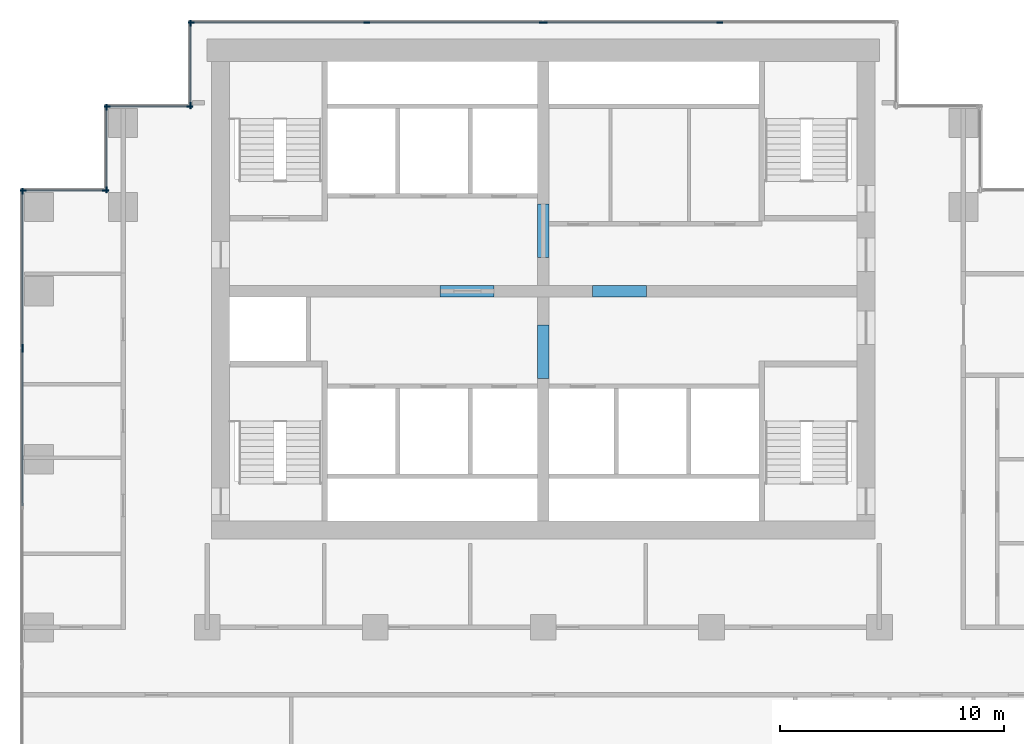
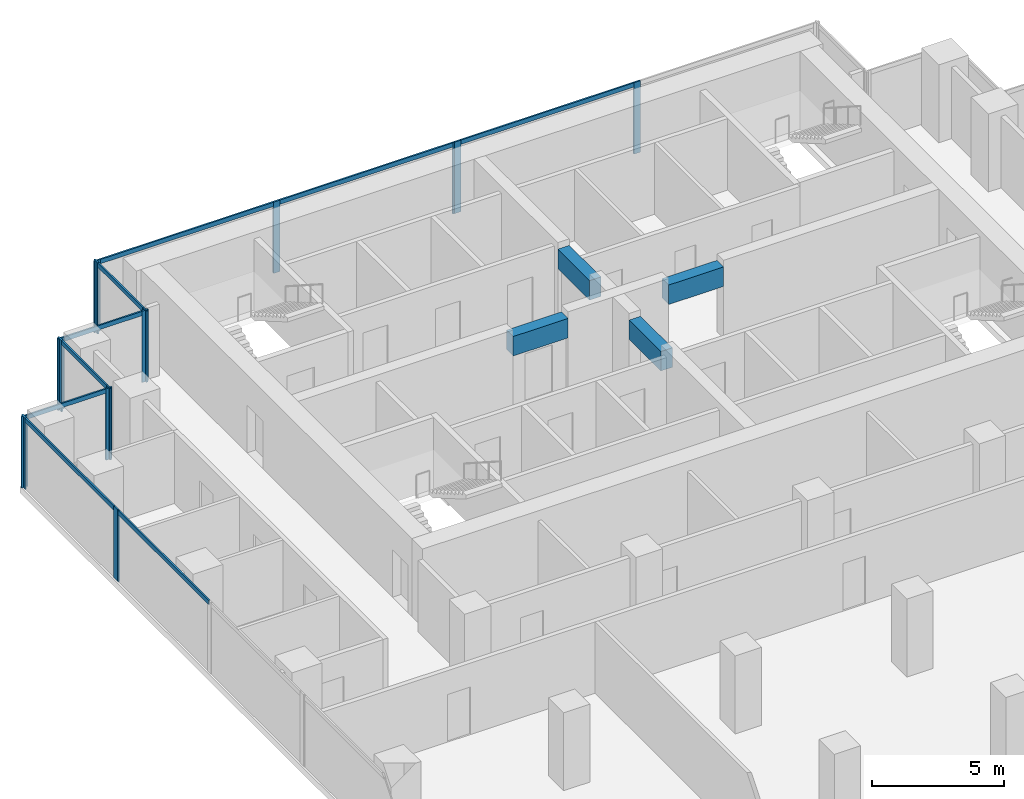
# One storey, part 4 of 10: 25 members, 4 beams, 8 elements without a shape of their own.
"""IFC4 building model written with IfcOpenShell, lengths in metres."""

from ifc_helpers import new_model, si_unit, direction, frame, origin, origin_2d, place, context, subcontext, project, spatial, rectangle, extrude, material, material_profile, profile_set, type_object, element, aggregate, save


model = new_model("IFC4")

# Units and contexts
model_context = context("Model", 3, precision=1e-05, world=origin(), true_north=direction((0.0, 1.0)))
body_context = subcontext(model_context, "Body", "Model", "MODEL_VIEW")
ifc_project = project(units=[si_unit("LENGTHUNIT", "METRE"), si_unit("AREAUNIT", "SQUARE_METRE"), si_unit("VOLUMEUNIT", "CUBIC_METRE"), si_unit("PLANEANGLEUNIT", "RADIAN"), si_unit("MASSUNIT", "GRAM", prefix="KILO")], contexts=[model_context])

# Site, building, storey
site_placement = place(None, origin())
site = spatial("IfcSite", under=ifc_project, at=site_placement, CompositionType="ELEMENT")
building_placement = place(site_placement, origin())
building = spatial("IfcBuilding", under=site, at=building_placement, Name="Pilkhan Gate Tower", CompositionType="ELEMENT")
storey_placement = place(building_placement, frame((0.0, 0.0, 118.0)))
storey = spatial("IfcBuildingStorey", under=building, at=storey_placement, Name="L29", CompositionType="ELEMENT", Elevation=118.0)

# Beams
ifc_material_1 = material(Name="Concrete C60/75", Category="concrete")
ifc_material_profile_1 = material_profile(ifc_material_1, rectangle(XDim=0.5, YDim=0.89990234375, at=origin_2d()), Name="RC 500x900")
ifc_profile_set_1 = profile_set([ifc_material_profile_1], Name="Concrete C60/75")
beam_type = type_object("IfcBeamType", Name="Coupling beam CB90 RC 500x900 C60/75", PredefinedType="LINTEL", material=ifc_profile_set_1)
for number, where, z_axis, x_axis, name in (
    (1, (70.39990234375, 82.5, 2.85009765625), (1.0, 0.0, 0.0), (0.0, 1.0, 0.0), "Coupling beam 1 L29"),
    (2, (77.199951171875, 82.5, 2.85009765625), (1.0, 0.0, 0.0), (0.0, 1.0, 0.0), "Coupling beam 2 L29"),
):
    element("IfcBeam", number, at=place(storey_placement, frame(where, z_axis=z_axis, x_axis=x_axis)), inside=storey, type_object=beam_type, Name=name, PredefinedType="LINTEL", context=body_context, shape_type="SweptSolid", body=[
        extrude(rectangle(XDim=0.5, YDim=0.89990234375, at=origin_2d()), origin(), (0.0, 0.0, 1.0), 2.400146484375),
    ])
for number, where, z_axis, x_axis, name in (
    (3, (75.0, 78.60009765625, 2.85009765625), (0.0, 1.0, 0.0), (-1.0, 0.0, 0.0), "Coupling beam 3 L29"),
    (4, (75.0, 84.0, 2.85009765625), (0.0, 1.0, 0.0), (-1.0, 0.0, 0.0), "Coupling beam 4 L29"),
):
    element("IfcBeam", number, at=place(storey_placement, frame(where, z_axis=z_axis, x_axis=x_axis)), inside=storey, type_object=beam_type, Name=name, PredefinedType="LINTEL", context=body_context, shape_type="SweptSolid", body=[
        extrude(rectangle(XDim=0.5, YDim=0.89990234375, at=origin_2d()), origin(), (0.0, 0.0, 1.0), 2.39990234375),
    ])

# Curtain wall, members
ifc_material_2 = material(Name="Pale anodised aluminium, clear low-iron double glazing", Category="aluminium")
curtain_wall_type = type_object("IfcCurtainWallType", Name="Office unitised curtain wall CW-O1", PredefinedType="USERDEFINED", material=ifc_material_2)
curtain_wall_1_placement = place(storey_placement, origin())
curtain_wall_1 = element("IfcCurtainWall", 5, at=curtain_wall_1_placement, inside=storey, type_object=curtain_wall_type, Name="Office unitised curtain wall CW-O1 L29 N", ObjectType="UNITISED CURTAIN WALL", PredefinedType="USERDEFINED")
ifc_material_3 = material(Name="Pale anodised aluminium", Category="aluminium")
ifc_material_profile_2 = material_profile(ifc_material_3, rectangle(XDim=0.070068359375, YDim=0.27490234375, at=origin_2d()), Name="Mullion 275x70")
ifc_profile_set_2 = profile_set([ifc_material_profile_2], Name="Pale anodised aluminium")
member_type_1 = type_object("IfcMemberType", Name="Mullion CW-O1 275x70", PredefinedType="MULLION", material=ifc_profile_set_2)
member_1_placement = place(storey_placement, frame((59.284912109375, 94.5, 0.0), z_axis=(0.0, 0.0, 1.0), x_axis=(0.0, 1.0, 0.0)))
member_1 = element("IfcMember", 6, at=member_1_placement, type_object=member_type_1, Name="CW-O1 mullion 1", PredefinedType="MULLION", context=body_context, shape_type="SweptSolid", body=[
    extrude(rectangle(XDim=0.070068359375, YDim=0.27490234375, at=origin_2d()), origin(), (0.0, 0.0, 1.0), 3.300048828125),
])
member_2_placement = place(storey_placement, frame((67.125, 94.5, 0.0), z_axis=(0.0, 0.0, 1.0), x_axis=(0.0, 1.0, 0.0)))
member_2 = element("IfcMember", 7, at=member_2_placement, type_object=member_type_1, Name="CW-O1 mullion 2", PredefinedType="MULLION", context=body_context, shape_type="SweptSolid", body=[
    extrude(rectangle(XDim=0.070068359375, YDim=0.27490234375, at=origin_2d()), origin(), (0.0, 0.0, 1.0), 3.300048828125),
])
member_3_placement = place(storey_placement, frame((74.965087890625, 94.5, 0.0), z_axis=(0.0, 0.0, 1.0), x_axis=(0.0, 1.0, 0.0)))
member_3 = element("IfcMember", 8, at=member_3_placement, type_object=member_type_1, Name="CW-O1 mullion 3", PredefinedType="MULLION", context=body_context, shape_type="SweptSolid", body=[
    extrude(rectangle(XDim=0.070068359375, YDim=0.27490234375, at=origin_2d()), origin(), (0.0, 0.0, 1.0), 3.300048828125),
])

curtain_wall_2_placement = place(storey_placement, origin())
curtain_wall_2 = element("IfcCurtainWall", 9, at=curtain_wall_2_placement, inside=storey, type_object=curtain_wall_type, Name="Office unitised curtain wall CW-O1 L29 N", ObjectType="UNITISED CURTAIN WALL", PredefinedType="USERDEFINED")
member_4_placement = place(storey_placement, frame((75.034912109375, 94.5, 0.0), z_axis=(0.0, 0.0, 1.0), x_axis=(0.0, 1.0, 0.0)))
member_4 = element("IfcMember", 10, at=member_4_placement, type_object=member_type_1, Name="CW-O1 mullion 1", PredefinedType="MULLION", context=body_context, shape_type="SweptSolid", body=[
    extrude(rectangle(XDim=0.070068359375, YDim=0.27490234375, at=origin_2d()), origin(), (0.0, 0.0, 1.0), 3.300048828125),
])
member_5_placement = place(storey_placement, frame((82.875, 94.5, 0.0), z_axis=(0.0, 0.0, 1.0), x_axis=(0.0, 1.0, 0.0)))
member_5 = element("IfcMember", 11, at=member_5_placement, type_object=member_type_1, Name="CW-O1 mullion 2", PredefinedType="MULLION", context=body_context, shape_type="SweptSolid", body=[
    extrude(rectangle(XDim=0.070068359375, YDim=0.27490234375, at=origin_2d()), origin(), (0.0, 0.0, 1.0), 3.300048828125),
])

curtain_wall_3_placement = place(storey_placement, origin())
curtain_wall_3 = element("IfcCurtainWall", 12, at=curtain_wall_3_placement, inside=storey, type_object=curtain_wall_type, Name="Office unitised curtain wall CW-O1 L29 W", ObjectType="UNITISED CURTAIN WALL", PredefinedType="USERDEFINED")
member_6_placement = place(storey_placement, frame((59.25, 90.784912109375, 0.0), z_axis=(0.0, 0.0, 1.0), x_axis=(-1.0, 0.0, 0.0)))
member_6 = element("IfcMember", 13, at=member_6_placement, type_object=member_type_1, Name="CW-O1 mullion 1", PredefinedType="MULLION", context=body_context, shape_type="SweptSolid", body=[
    extrude(rectangle(XDim=0.070068359375, YDim=0.27490234375, at=origin_2d()), origin(), (0.0, 0.0, 1.0), 3.300048828125),
])
member_7_placement = place(storey_placement, frame((59.25, 94.465087890625, 0.0), z_axis=(0.0, 0.0, 1.0), x_axis=(-1.0, 0.0, 0.0)))
member_7 = element("IfcMember", 14, at=member_7_placement, type_object=member_type_1, Name="CW-O1 mullion 2", PredefinedType="MULLION", context=body_context, shape_type="SweptSolid", body=[
    extrude(rectangle(XDim=0.070068359375, YDim=0.27490234375, at=origin_2d()), origin(), (0.0, 0.0, 1.0), 3.300048828125),
])

curtain_wall_4_placement = place(storey_placement, origin())
curtain_wall_4 = element("IfcCurtainWall", 15, at=curtain_wall_4_placement, inside=storey, type_object=curtain_wall_type, Name="Office unitised curtain wall CW-O1 L29 N", ObjectType="UNITISED CURTAIN WALL", PredefinedType="USERDEFINED")
member_8_placement = place(storey_placement, frame((55.534912109375, 90.75, 0.0), z_axis=(0.0, 0.0, 1.0), x_axis=(0.0, 1.0, 0.0)))
member_8 = element("IfcMember", 16, at=member_8_placement, type_object=member_type_1, Name="CW-O1 mullion 1", PredefinedType="MULLION", context=body_context, shape_type="SweptSolid", body=[
    extrude(rectangle(XDim=0.070068359375, YDim=0.27490234375, at=origin_2d()), origin(), (0.0, 0.0, 1.0), 3.300048828125),
])
member_9_placement = place(storey_placement, frame((59.215087890625, 90.75, 0.0), z_axis=(0.0, 0.0, 1.0), x_axis=(0.0, 1.0, 0.0)))
member_9 = element("IfcMember", 17, at=member_9_placement, type_object=member_type_1, Name="CW-O1 mullion 2", PredefinedType="MULLION", context=body_context, shape_type="SweptSolid", body=[
    extrude(rectangle(XDim=0.070068359375, YDim=0.27490234375, at=origin_2d()), origin(), (0.0, 0.0, 1.0), 3.300048828125),
])

curtain_wall_5_placement = place(storey_placement, origin())
curtain_wall_5 = element("IfcCurtainWall", 18, at=curtain_wall_5_placement, inside=storey, type_object=curtain_wall_type, Name="Office unitised curtain wall CW-O1 L29 W", ObjectType="UNITISED CURTAIN WALL", PredefinedType="USERDEFINED")
member_10_placement = place(storey_placement, frame((55.5, 87.034912109375, 0.0), z_axis=(0.0, 0.0, 1.0), x_axis=(-1.0, 0.0, 0.0)))
member_10 = element("IfcMember", 19, at=member_10_placement, type_object=member_type_1, Name="CW-O1 mullion 1", PredefinedType="MULLION", context=body_context, shape_type="SweptSolid", body=[
    extrude(rectangle(XDim=0.070068359375, YDim=0.27490234375, at=origin_2d()), origin(), (0.0, 0.0, 1.0), 3.300048828125),
])
member_11_placement = place(storey_placement, frame((55.5, 90.715087890625, 0.0), z_axis=(0.0, 0.0, 1.0), x_axis=(-1.0, 0.0, 0.0)))
member_11 = element("IfcMember", 20, at=member_11_placement, type_object=member_type_1, Name="CW-O1 mullion 2", PredefinedType="MULLION", context=body_context, shape_type="SweptSolid", body=[
    extrude(rectangle(XDim=0.070068359375, YDim=0.27490234375, at=origin_2d()), origin(), (0.0, 0.0, 1.0), 3.300048828125),
])

curtain_wall_6_placement = place(storey_placement, origin())
curtain_wall_6 = element("IfcCurtainWall", 21, at=curtain_wall_6_placement, inside=storey, type_object=curtain_wall_type, Name="Office unitised curtain wall CW-O1 L29 N", ObjectType="UNITISED CURTAIN WALL", PredefinedType="USERDEFINED")
member_12_placement = place(storey_placement, frame((51.784912109375, 87.0, 0.0), z_axis=(0.0, 0.0, 1.0), x_axis=(0.0, 1.0, 0.0)))
member_12 = element("IfcMember", 22, at=member_12_placement, type_object=member_type_1, Name="CW-O1 mullion 1", PredefinedType="MULLION", context=body_context, shape_type="SweptSolid", body=[
    extrude(rectangle(XDim=0.070068359375, YDim=0.27490234375, at=origin_2d()), origin(), (0.0, 0.0, 1.0), 3.300048828125),
])
member_13_placement = place(storey_placement, frame((55.465087890625, 87.0, 0.0), z_axis=(0.0, 0.0, 1.0), x_axis=(0.0, 1.0, 0.0)))
member_13 = element("IfcMember", 23, at=member_13_placement, type_object=member_type_1, Name="CW-O1 mullion 2", PredefinedType="MULLION", context=body_context, shape_type="SweptSolid", body=[
    extrude(rectangle(XDim=0.070068359375, YDim=0.27490234375, at=origin_2d()), origin(), (0.0, 0.0, 1.0), 3.300048828125),
])

# Curtain wall, member
curtain_wall_7_placement = place(storey_placement, origin())
curtain_wall_7 = element("IfcCurtainWall", 24, at=curtain_wall_7_placement, inside=storey, type_object=curtain_wall_type, Name="Office unitised curtain wall CW-O1 L29 W", ObjectType="UNITISED CURTAIN WALL", PredefinedType="USERDEFINED")
member_14_placement = place(storey_placement, frame((51.75, 79.9150390625, 0.0), z_axis=(0.0, 0.0, 1.0), x_axis=(-1.0, 0.0, 0.0)))
member_14 = element("IfcMember", 25, at=member_14_placement, type_object=member_type_1, Name="CW-O1 mullion 3", PredefinedType="MULLION", context=body_context, shape_type="SweptSolid", body=[
    extrude(rectangle(XDim=0.070068359375, YDim=0.27490234375, at=origin_2d()), origin(), (0.0, 0.0, 1.0), 3.300048828125),
])

# Curtain wall, members
curtain_wall_8_placement = place(storey_placement, origin())
curtain_wall_8 = element("IfcCurtainWall", 26, at=curtain_wall_8_placement, inside=storey, type_object=curtain_wall_type, Name="Office unitised curtain wall CW-O1 L29 W", ObjectType="UNITISED CURTAIN WALL", PredefinedType="USERDEFINED")
member_15_placement = place(storey_placement, frame((51.75, 79.985107421875, 0.0), z_axis=(0.0, 0.0, 1.0), x_axis=(-1.0, 0.0, 0.0)))
member_15 = element("IfcMember", 27, at=member_15_placement, type_object=member_type_1, Name="CW-O1 mullion 1", PredefinedType="MULLION", context=body_context, shape_type="SweptSolid", body=[
    extrude(rectangle(XDim=0.070068359375, YDim=0.27490234375, at=origin_2d()), origin(), (0.0, 0.0, 1.0), 3.300048828125),
])
member_16_placement = place(storey_placement, frame((51.75, 86.965087890625, 0.0), z_axis=(0.0, 0.0, 1.0), x_axis=(-1.0, 0.0, 0.0)))
member_16 = element("IfcMember", 28, at=member_16_placement, type_object=member_type_1, Name="CW-O1 mullion 2", PredefinedType="MULLION", context=body_context, shape_type="SweptSolid", body=[
    extrude(rectangle(XDim=0.070068359375, YDim=0.27490234375, at=origin_2d()), origin(), (0.0, 0.0, 1.0), 3.300048828125),
])

# Member
ifc_material_profile_3 = material_profile(ifc_material_3, rectangle(XDim=0.070068359375, YDim=0.199951171875, at=origin_2d()), Name="Transom 200x70")
ifc_profile_set_3 = profile_set([ifc_material_profile_3], Name="Pale anodised aluminium")
member_type_2 = type_object("IfcMemberType", Name="Transom CW-O1 200x70", PredefinedType="USERDEFINED", material=ifc_profile_set_3)
member_17_placement = place(storey_placement, frame((59.320068359375, 94.5, 3.199951171875), z_axis=(1.0, 0.0, 0.0), x_axis=(0.0, 1.0, 0.0)))
member_17 = element("IfcMember", 29, at=member_17_placement, type_object=member_type_2, Name="CW-O1 transom 1", ObjectType="TRANSOM", PredefinedType="USERDEFINED", context=body_context, shape_type="SweptSolid", body=[
    extrude(rectangle(XDim=0.070068359375, YDim=0.199951171875, at=origin_2d()), origin(), (0.0, 0.0, 1.0), 7.77001953125),
])

member_18_placement = place(storey_placement, frame((67.159912109375, 94.5, 3.199951171875), z_axis=(1.0, 0.0, 0.0), x_axis=(0.0, 1.0, 0.0)))
member_18 = element("IfcMember", 30, at=member_18_placement, type_object=member_type_2, Name="CW-O1 transom 2", ObjectType="TRANSOM", PredefinedType="USERDEFINED", context=body_context, shape_type="SweptSolid", body=[
    extrude(rectangle(XDim=0.070068359375, YDim=0.199951171875, at=origin_2d()), origin(), (0.0, 0.0, 1.0), 7.77001953125),
])

aggregate(curtain_wall_1, [member_1, member_2, member_3, member_17, member_18])

member_19_placement = place(storey_placement, frame((75.070068359375, 94.5, 3.199951171875), z_axis=(1.0, 0.0, 0.0), x_axis=(0.0, 1.0, 0.0)))
member_19 = element("IfcMember", 31, at=member_19_placement, type_object=member_type_2, Name="CW-O1 transom 1", ObjectType="TRANSOM", PredefinedType="USERDEFINED", context=body_context, shape_type="SweptSolid", body=[
    extrude(rectangle(XDim=0.070068359375, YDim=0.199951171875, at=origin_2d()), origin(), (0.0, 0.0, 1.0), 7.77001953125),
])

aggregate(curtain_wall_2, [member_4, member_5, member_19])

member_20_placement = place(storey_placement, frame((59.25, 90.820068359375, 3.199951171875), z_axis=(0.0, 1.0, 0.0), x_axis=(-1.0, 0.0, 0.0)))
member_20 = element("IfcMember", 32, at=member_20_placement, type_object=member_type_2, Name="CW-O1 transom 1", ObjectType="TRANSOM", PredefinedType="USERDEFINED", context=body_context, shape_type="SweptSolid", body=[
    extrude(rectangle(XDim=0.070068359375, YDim=0.199951171875, at=origin_2d()), origin(), (0.0, 0.0, 1.0), 3.60986328125),
])

aggregate(curtain_wall_3, [member_6, member_7, member_20])

member_21_placement = place(storey_placement, frame((55.570068359375, 90.75, 3.199951171875), z_axis=(1.0, 0.0, 0.0), x_axis=(0.0, 1.0, 0.0)))
member_21 = element("IfcMember", 33, at=member_21_placement, type_object=member_type_2, Name="CW-O1 transom 1", ObjectType="TRANSOM", PredefinedType="USERDEFINED", context=body_context, shape_type="SweptSolid", body=[
    extrude(rectangle(XDim=0.070068359375, YDim=0.199951171875, at=origin_2d()), origin(), (0.0, 0.0, 1.0), 3.60986328125),
])

aggregate(curtain_wall_4, [member_8, member_9, member_21])

member_22_placement = place(storey_placement, frame((55.5, 87.070068359375, 3.199951171875), z_axis=(0.0, 1.0, 0.0), x_axis=(-1.0, 0.0, 0.0)))
member_22 = element("IfcMember", 34, at=member_22_placement, type_object=member_type_2, Name="CW-O1 transom 1", ObjectType="TRANSOM", PredefinedType="USERDEFINED", context=body_context, shape_type="SweptSolid", body=[
    extrude(rectangle(XDim=0.070068359375, YDim=0.199951171875, at=origin_2d()), origin(), (0.0, 0.0, 1.0), 3.60986328125),
])

aggregate(curtain_wall_5, [member_10, member_11, member_22])

member_23_placement = place(storey_placement, frame((51.820068359375, 87.0, 3.199951171875), z_axis=(1.0, 0.0, 0.0), x_axis=(0.0, 1.0, 0.0)))
member_23 = element("IfcMember", 35, at=member_23_placement, type_object=member_type_2, Name="CW-O1 transom 1", ObjectType="TRANSOM", PredefinedType="USERDEFINED", context=body_context, shape_type="SweptSolid", body=[
    extrude(rectangle(XDim=0.070068359375, YDim=0.199951171875, at=origin_2d()), origin(), (0.0, 0.0, 1.0), 3.60986328125),
])

aggregate(curtain_wall_6, [member_12, member_13, member_23])

member_24_placement = place(storey_placement, frame((51.75, 72.93505859375, 3.199951171875), z_axis=(0.0, 1.0, 0.0), x_axis=(-1.0, 0.0, 0.0)))
member_24 = element("IfcMember", 36, at=member_24_placement, type_object=member_type_2, Name="CW-O1 transom 2", ObjectType="TRANSOM", PredefinedType="USERDEFINED", context=body_context, shape_type="SweptSolid", body=[
    extrude(rectangle(XDim=0.070068359375, YDim=0.199951171875, at=origin_2d()), origin(), (0.0, 0.0, 1.0), 6.94482421875),
])

aggregate(curtain_wall_7, [member_14, member_24])

member_25_placement = place(storey_placement, frame((51.75, 80.02001953125, 3.199951171875), z_axis=(0.0, 1.0, 0.0), x_axis=(-1.0, 0.0, 0.0)))
member_25 = element("IfcMember", 37, at=member_25_placement, type_object=member_type_2, Name="CW-O1 transom 1", ObjectType="TRANSOM", PredefinedType="USERDEFINED", context=body_context, shape_type="SweptSolid", body=[
    extrude(rectangle(XDim=0.070068359375, YDim=0.199951171875, at=origin_2d()), origin(), (0.0, 0.0, 1.0), 6.909912109375),
])

aggregate(curtain_wall_8, [member_15, member_16, member_25])

save(model, "model.ifc")
